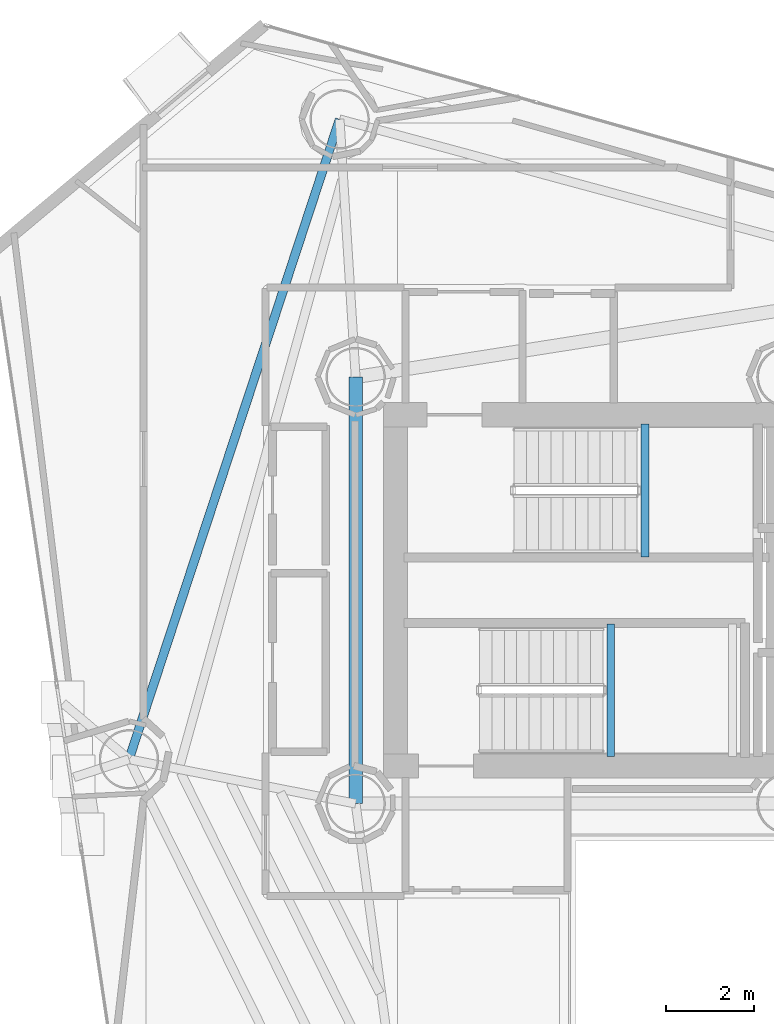
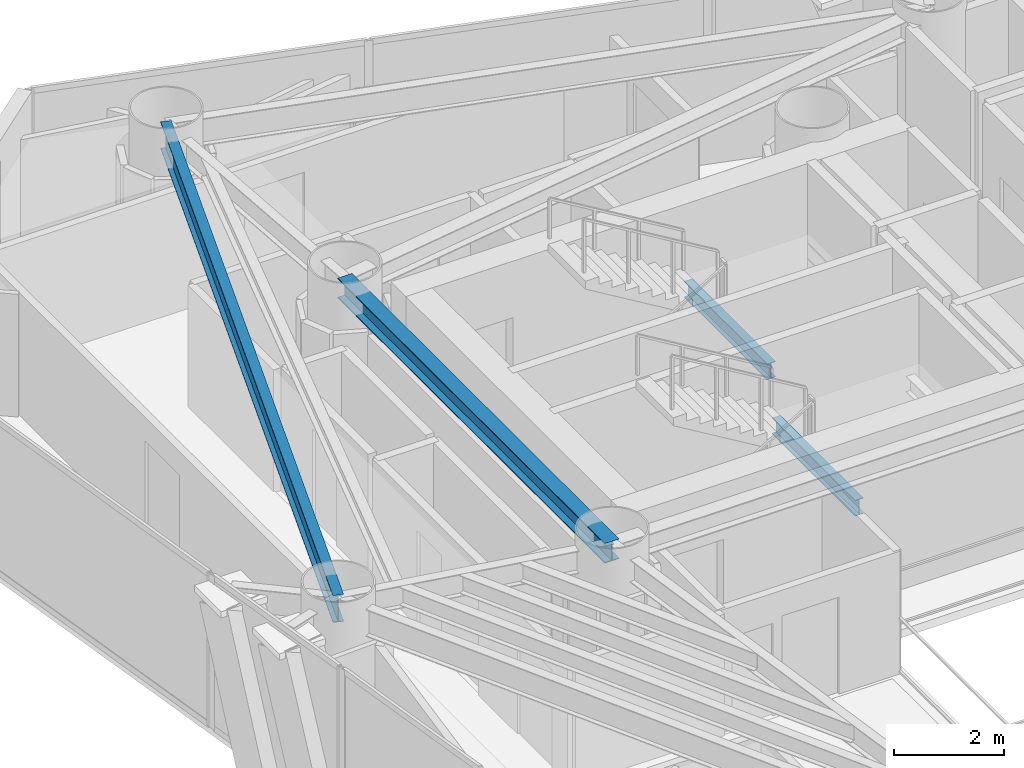
# One storey, part 10 of 22: 4 beams.
"""IFC4 building model written with IfcOpenShell, lengths in metres."""

from ifc_helpers import new_model, si_unit, direction, frame, origin, origin_2d, place, context, subcontext, project, spatial, i_section, extrude, material, material_profile, profile_set, type_object, element, save


model = new_model("IFC4")

# Units and contexts
model_context = context("Model", 3, precision=1e-05, world=origin(), true_north=direction((0.0, 1.0)))
body_context = subcontext(model_context, "Body", "Model", "MODEL_VIEW")
ifc_project = project(units=[si_unit("LENGTHUNIT", "METRE"), si_unit("AREAUNIT", "SQUARE_METRE"), si_unit("VOLUMEUNIT", "CUBIC_METRE"), si_unit("PLANEANGLEUNIT", "RADIAN"), si_unit("MASSUNIT", "GRAM", prefix="KILO")], contexts=[model_context])

# Site, building, storey
site_placement = place(None, origin())
site = spatial("IfcSite", under=ifc_project, at=site_placement, CompositionType="ELEMENT")
building_placement = place(site_placement, origin())
building = spatial("IfcBuilding", under=site, at=building_placement, Name="Qianvela Tower", CompositionType="ELEMENT")
storey_placement = place(building_placement, frame((0.0, 0.0, 180.89990234375)))
storey = spatial("IfcBuildingStorey", under=building, at=storey_placement, Name="L46", CompositionType="ELEMENT", Elevation=180.89990234375)

# Beams
ifc_material_1 = material(Name="Steel Q355B", Category="steel")
ifc_material_profile_1 = material_profile(ifc_material_1, i_section(OverallWidth=0.300048828125, OverallDepth=0.43994140625, WebThickness=0.010986328125, FlangeThickness=0.01806640625, at=origin_2d()), Name="HM440x300x11x18")
ifc_profile_set_1 = profile_set([ifc_material_profile_1], Name="Steel Q355B")
beam_type_1 = type_object("IfcBeamType", Name="BM-HM440-COLL", PredefinedType="BEAM", material=ifc_profile_set_1)
beam_1_placement = place(storey_placement, frame((28.60009765625, 33.550048828125, 3.177978515625), z_axis=(0.0, -1.0, 0.0), x_axis=(1.0, 0.0, 0.0)))
element("IfcBeam", 1, at=beam_1_placement, inside=storey, type_object=beam_type_1, Name="L46 Core Ring Collector Girder CC2", PredefinedType="BEAM", context=body_context, shape_type="SweptSolid", body=[
    extrude(i_section(OverallWidth=0.300048828125, OverallDepth=0.43994140625, WebThickness=0.010986328125, FlangeThickness=0.01806640625, at=origin_2d()), origin(), (0.0, 0.0, 1.0), 9.699951171875),
])
ifc_material_2 = material(Name="Steel Q355B", Category="steel")
ifc_material_profile_2 = material_profile(ifc_material_2, i_section(OverallWidth=0.175048828125, OverallDepth=0.35009765625, WebThickness=0.007080078125, FlangeThickness=0.010986328125, at=origin_2d()), Name="HN350x175x7x11")
ifc_profile_set_2 = profile_set([ifc_material_profile_2], Name="Steel Q355B")
beam_type_2 = type_object("IfcBeamType", Name="BM-HN350-JOIST", PredefinedType="JOIST", material=ifc_profile_set_2)
for number, where, z_axis, x_axis, name in (
    (2, (35.179931640625, 29.4599609375, 1.47509765625), (0.0, 1.0, 0.0), (-1.0, 0.0, 0.0), "L46 Stair ST-1 Landing Support Beam 1.1"),
    (3, (34.39990234375, 24.919921875, 1.47509765625), (0.0, 1.0, 0.0), (-1.0, 0.0, 0.0), "L46 Stair ST-2 Landing Support Beam 1.1"),
):
    element("IfcBeam", number, at=place(storey_placement, frame(where, z_axis=z_axis, x_axis=x_axis)), inside=storey, type_object=beam_type_2, Name=name, PredefinedType="JOIST", context=body_context, shape_type="SweptSolid", body=[
        extrude(i_section(OverallWidth=0.175048828125, OverallDepth=0.35009765625, WebThickness=0.007080078125, FlangeThickness=0.010986328125, at=origin_2d()), origin(), (0.0, 0.0, 1.0), 3.02001953125),
    ])
ifc_material_3 = material(Name="Steel Q355B", Category="steel")
ifc_material_profile_3 = material_profile(ifc_material_3, i_section(OverallWidth=0.199951171875, OverallDepth=0.60009765625, WebThickness=0.010986328125, FlangeThickness=0.01708984375, at=origin_2d()), Name="HN600x200x11x17")
ifc_profile_set_3 = profile_set([ifc_material_profile_3], Name="Steel Q355B")
beam_type_3 = type_object("IfcBeamType", Name="BM-HN600-GIRD", PredefinedType="BEAM", material=ifc_profile_set_3)
beam_2_placement = place(storey_placement, frame((28.235107421875, 39.410888671875, 3.09814453125), z_axis=(-0.312606332657, -0.949882772126, 0.0), x_axis=(0.949882772126, -0.312606332657, 0.0)))
element("IfcBeam", 4, at=beam_2_placement, inside=storey, type_object=beam_type_3, Name="L46 Perimeter Ring Spandrel Girder 3", PredefinedType="BEAM", context=body_context, shape_type="SweptSolid", body=[
    extrude(i_section(OverallWidth=0.199951171875, OverallDepth=0.60009765625, WebThickness=0.010986328125, FlangeThickness=0.01708984375, at=origin_2d()), origin(), (0.0, 0.0, 1.0), 15.31982421875),
])

save(model, "model.ifc")
